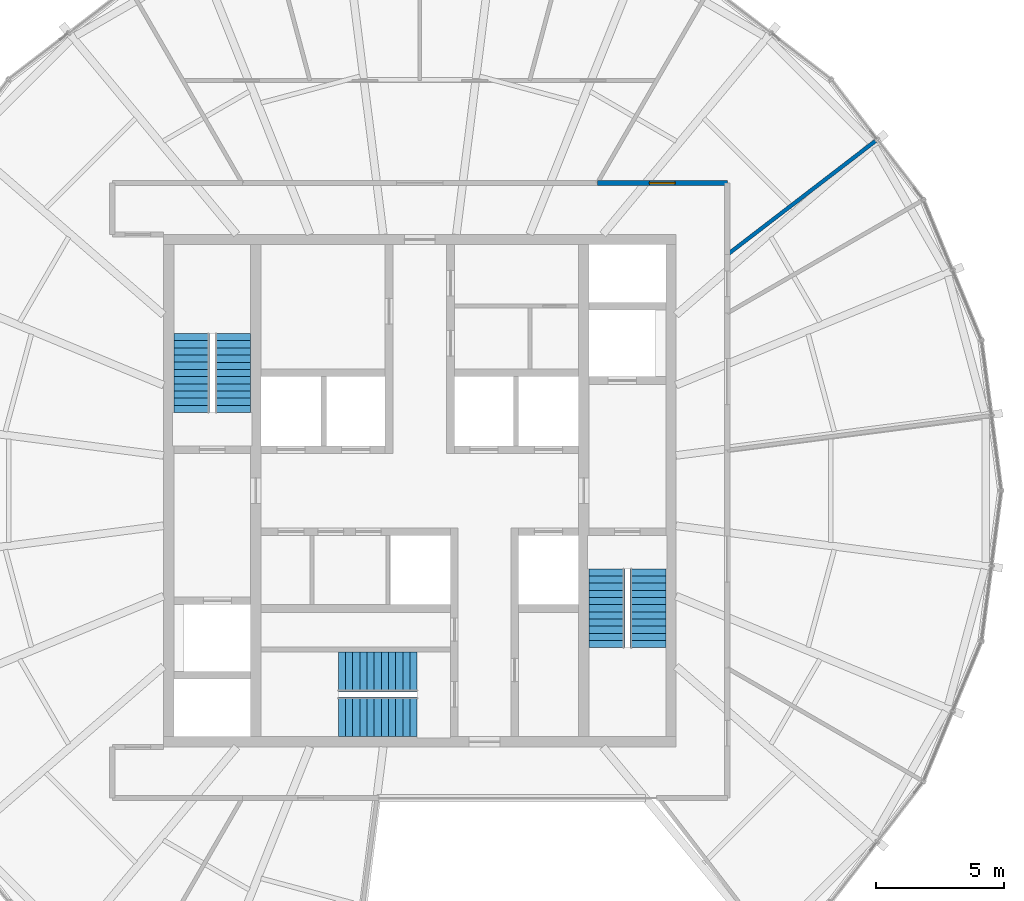
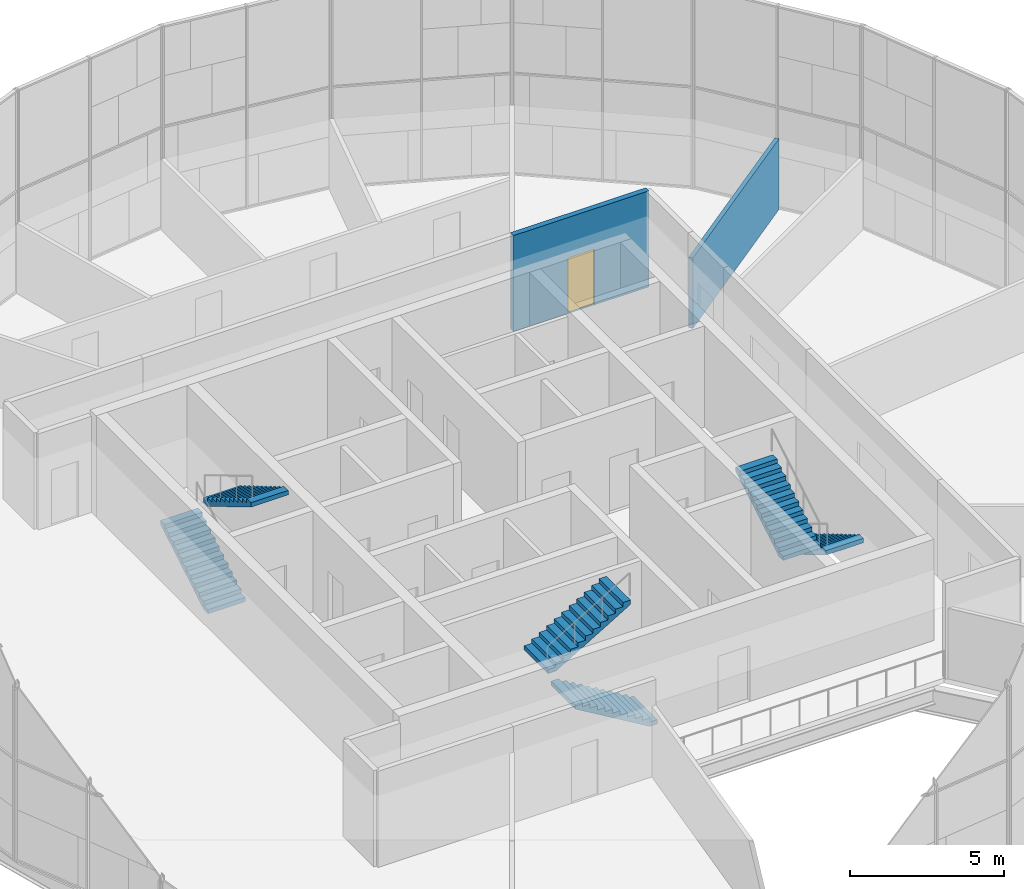
# One storey, part 18 of 19: 6 stair flights, 2 walls, 1 door, 1 opening, 3 elements without a shape of their own.
"""IFC4 building model written with IfcOpenShell, lengths in metres."""

from ifc_helpers import new_model, si_unit, direction, frame, frame_2d, origin, place, context, subcontext, project, spatial, polyline, rectangle, outline, extrude, material, layer, layer_set, type_object, element, fill, aggregate, save


model = new_model("IFC4")

# Units and contexts
model_context = context("Model", 3, precision=1e-05, world=origin(), true_north=direction((0.0, 1.0)))
body_context = subcontext(model_context, "Body", "Model", "MODEL_VIEW")
ifc_project = project(units=[si_unit("LENGTHUNIT", "METRE"), si_unit("AREAUNIT", "SQUARE_METRE"), si_unit("VOLUMEUNIT", "CUBIC_METRE"), si_unit("PLANEANGLEUNIT", "RADIAN"), si_unit("MASSUNIT", "GRAM", prefix="KILO")], contexts=[model_context])

# Site, building, storey
site_placement = place(None, origin())
site = spatial("IfcSite", under=ifc_project, at=site_placement, CompositionType="ELEMENT")
building_placement = place(site_placement, origin())
building = spatial("IfcBuilding", under=site, at=building_placement, Name="Golbaran Civic Tower", CompositionType="ELEMENT")
storey_placement = place(building_placement, frame((0.0, 0.0, 240.0)))
storey = spatial("IfcBuildingStorey", under=building, at=storey_placement, Name="L58", CompositionType="ELEMENT", Elevation=240.0)

# Wall, opening, door
ifc_material_1 = material(Name="Gypsum board on steel studs, fire-rated", Category="steel")
ifc_layer_1 = layer(ifc_material_1, 0.199951171875, Name="Gypsum board on steel studs, fire-rated")
ifc_layer_set_1 = layer_set([ifc_layer_1], Name="Gypsum board on steel studs, fire-rated")
wall_type_1 = type_object("IfcWallType", Name="CORRIDOR WALL 200", PredefinedType="PARTITIONING", material=ifc_layer_set_1)
wall_1_placement = place(storey_placement, frame((12.0, 12.0, 0.0), z_axis=(0.0, 0.0, 1.0), x_axis=(-1.0, 0.0, 0.0)))
wall_1 = element("IfcWall", 1, at=wall_1_placement, inside=storey, type_object=wall_type_1, Name="Corridor wall L58", PredefinedType="PARTITIONING", context=body_context, shape_type="SweptSolid", body=[
    extrude(rectangle(XDim=5.07177734375, YDim=0.199951171875, at=frame_2d((2.535888671875, 0.0))), origin(), (0.0, 0.0, 1.0), 3.800048828125),
])
opening_placement = place(wall_1_placement, frame((2.035888671875, 0.0, 0.0)))
opening = element("IfcOpeningElement", 2, at=opening_placement, cuts=wall_1, Name="Opening L58.08", PredefinedType="OPENING", context=body_context, shape_type="SweptSolid", body=[
    extrude(rectangle(XDim=1.0, YDim=2.199951171875, at=frame_2d((0.5, 1.10009765625))), frame((0.0, 0.10986328125, 0.0), z_axis=(0.0, -1.0, 0.0), x_axis=(1.0, 0.0, 0.0)), (0.0, 0.0, 1.0), 0.219970703125),
])
ifc_material_2 = material(Name="Timber door set in steel frame", Category="steel")
door_type = type_object("IfcDoorType", Name="OFFICE DOOR 1000x2200", OperationType="SINGLE_SWING_LEFT", PredefinedType="DOOR", material=ifc_material_2)
door_placement = place(opening_placement, origin())
door = element("IfcDoor", 3, at=door_placement, inside=storey, type_object=door_type, Name="Prayer Room door L58", OperationType="SINGLE_SWING_RIGHT", OverallHeight=2.199951171875, OverallWidth=1.0, PredefinedType="DOOR", context=body_context, shape_type="SweptSolid", body=[
    extrude(rectangle(XDim=1.0, YDim=2.199951171875, at=frame_2d((0.5, 1.10009765625))), frame((0.0, 0.02490234375, 0.0), z_axis=(0.0, -1.0, 0.0), x_axis=(1.0, 0.0, 0.0)), (0.0, 0.0, 1.0), 0.050048828125),
])
fill(opening, door)

# Wall
ifc_material_3 = material(Name="Gypsum board on steel studs", Category="steel")
ifc_layer_2 = layer(ifc_material_3, 0.14990234375, Name="Gypsum board on steel studs")
ifc_layer_set_2 = layer_set([ifc_layer_2], Name="Gypsum board on steel studs")
wall_type_2 = type_object("IfcWallType", Name="OFFICE PARTITION 150", PredefinedType="PARTITIONING", material=ifc_layer_set_2)
wall_2_placement = place(storey_placement, frame((12.0, 9.2080078125, 0.0), z_axis=(0.0, 0.0, 1.0), x_axis=(0.793369131671, 0.608740848729, 0.0)))
element("IfcWall", 4, at=wall_2_placement, inside=storey, type_object=wall_type_2, Name="Partition 37.5 L58", PredefinedType="PARTITIONING", context=body_context, shape_type="SweptSolid", body=[
    extrude(rectangle(XDim=7.2900390625, YDim=0.14990234375, at=frame_2d((3.64501953125, 0.0))), origin(), (0.0, 0.0, 1.0), 2.7900390625),
])

# Stair, stair flights
ifc_material_4 = material(Name="Concrete C35/45", Category="concrete")
stair_type_1 = type_object("IfcStairType", Name="EXIT STAIR 3000 x 7850, 4000 RISE", PredefinedType="HALF_TURN_STAIR", material=ifc_material_4)
stair_1_placement = place(storey_placement, origin())
stair_1 = element("IfcStair", 5, at=stair_1_placement, inside=storey, type_object=stair_type_1, Name="Stair S1 L58", PredefinedType="HALF_TURN_STAIR")
stair_flight_type_1 = type_object("IfcStairFlightType", Name="STAIR FLIGHT 1400 WIDE", PredefinedType="STRAIGHT", material=ifc_material_4)
stair_flight_1_placement = place(storey_placement, frame((-8.89990234375, 3.050048828125, 0.0), z_axis=(0.0, 0.0, 1.0), x_axis=(0.0, 1.0, 0.0)))
stair_flight_1 = element("IfcStairFlight", 6, at=stair_flight_1_placement, type_object=stair_flight_type_1, Name="ST30078-40 flight 1", NumberOfRisers=12, NumberOfTreads=11, PredefinedType="STRAIGHT", RiserHeight=0.166666667, TreadLength=0.28, context=body_context, shape_type="SweptSolid", body=[
    extrude(outline(polyline([(0.0, 0.0), (0.0, 0.166748046875), (0.280029296875, 0.166748046875), (0.280029296875, 0.333251953125), (0.56005859375, 0.333251953125), (0.56005859375, 0.5), (0.840087890625, 0.5), (0.840087890625, 0.666748046875), (1.1201171875, 0.666748046875), (1.1201171875, 0.833251953125), (1.39990234375, 0.833251953125), (1.39990234375, 1.0), (1.679931640625, 1.0), (1.679931640625, 1.166748046875), (1.9599609375, 1.166748046875), (1.9599609375, 1.333251953125), (2.239990234375, 1.333251953125), (2.239990234375, 1.5), (2.52001953125, 1.5), (2.52001953125, 1.666748046875), (2.800048828125, 1.666748046875), (2.800048828125, 1.833251953125), (3.080078125, 1.833251953125), (3.080078125, 2.0), (3.080078125, 1.658935546875), (0.29296875, 0.0), (0.0, 0.0)])), frame((0.0, 0.699951171875, 0.0), z_axis=(0.0, -1.0, 0.0), x_axis=(1.0, 0.0, 0.0)), (0.0, 0.0, 1.0), 1.39990234375),
])
stair_flight_2_placement = place(storey_placement, frame((-7.300048828125, 6.1298828125, 2.0), z_axis=(0.0, 0.0, 1.0), x_axis=(0.0, -1.0, 0.0)))
stair_flight_2 = element("IfcStairFlight", 7, at=stair_flight_2_placement, type_object=stair_flight_type_1, Name="ST30078-40 flight 2", NumberOfRisers=12, NumberOfTreads=11, PredefinedType="STRAIGHT", RiserHeight=0.166666667, TreadLength=0.28, context=body_context, shape_type="SweptSolid", body=[
    extrude(outline(polyline([(0.0, 0.0), (0.0, 0.166748046875), (0.280029296875, 0.166748046875), (0.280029296875, 0.333251953125), (0.56005859375, 0.333251953125), (0.56005859375, 0.5), (0.840087890625, 0.5), (0.840087890625, 0.666748046875), (1.1201171875, 0.666748046875), (1.1201171875, 0.833251953125), (1.39990234375, 0.833251953125), (1.39990234375, 1.0), (1.679931640625, 1.0), (1.679931640625, 1.166748046875), (1.9599609375, 1.166748046875), (1.9599609375, 1.333251953125), (2.239990234375, 1.333251953125), (2.239990234375, 1.5), (2.52001953125, 1.5), (2.52001953125, 1.666748046875), (2.800048828125, 1.666748046875), (2.800048828125, 1.833251953125), (3.080078125, 1.833251953125), (3.080078125, 2.0), (3.080078125, 1.658935546875), (0.29296875, 0.0), (0.0, 0.0)])), frame((0.0, 0.699951171875, 0.0), z_axis=(0.0, -1.0, 0.0), x_axis=(1.0, 0.0, 0.0)), (0.0, 0.0, 1.0), 1.39990234375),
])
aggregate(stair_1, [stair_flight_1, stair_flight_2])

stair_2_placement = place(storey_placement, origin())
stair_2 = element("IfcStair", 8, at=stair_2_placement, inside=storey, type_object=stair_type_1, Name="Stair S2 L58", PredefinedType="HALF_TURN_STAIR")
stair_flight_3_placement = place(storey_placement, frame((8.89990234375, -3.050048828125, 0.0), z_axis=(0.0, 0.0, 1.0), x_axis=(0.0, -1.0, 0.0)))
stair_flight_3 = element("IfcStairFlight", 9, at=stair_flight_3_placement, type_object=stair_flight_type_1, Name="ST30078-40 flight 1", NumberOfRisers=12, NumberOfTreads=11, PredefinedType="STRAIGHT", RiserHeight=0.166666667, TreadLength=0.28, context=body_context, shape_type="SweptSolid", body=[
    extrude(outline(polyline([(0.0, 0.0), (0.0, 0.166748046875), (0.280029296875, 0.166748046875), (0.280029296875, 0.333251953125), (0.56005859375, 0.333251953125), (0.56005859375, 0.5), (0.840087890625, 0.5), (0.840087890625, 0.666748046875), (1.1201171875, 0.666748046875), (1.1201171875, 0.833251953125), (1.39990234375, 0.833251953125), (1.39990234375, 1.0), (1.679931640625, 1.0), (1.679931640625, 1.166748046875), (1.9599609375, 1.166748046875), (1.9599609375, 1.333251953125), (2.239990234375, 1.333251953125), (2.239990234375, 1.5), (2.52001953125, 1.5), (2.52001953125, 1.666748046875), (2.800048828125, 1.666748046875), (2.800048828125, 1.833251953125), (3.080078125, 1.833251953125), (3.080078125, 2.0), (3.080078125, 1.658935546875), (0.29296875, 0.0), (0.0, 0.0)])), frame((0.0, 0.699951171875, 0.0), z_axis=(0.0, -1.0, 0.0), x_axis=(1.0, 0.0, 0.0)), (0.0, 0.0, 1.0), 1.39990234375),
])
stair_flight_4_placement = place(storey_placement, frame((7.300048828125, -6.1298828125, 2.0), z_axis=(0.0, 0.0, 1.0), x_axis=(0.0, 1.0, 0.0)))
stair_flight_4 = element("IfcStairFlight", 10, at=stair_flight_4_placement, type_object=stair_flight_type_1, Name="ST30078-40 flight 2", NumberOfRisers=12, NumberOfTreads=11, PredefinedType="STRAIGHT", RiserHeight=0.166666667, TreadLength=0.28, context=body_context, shape_type="SweptSolid", body=[
    extrude(outline(polyline([(0.0, 0.0), (0.0, 0.166748046875), (0.280029296875, 0.166748046875), (0.280029296875, 0.333251953125), (0.56005859375, 0.333251953125), (0.56005859375, 0.5), (0.840087890625, 0.5), (0.840087890625, 0.666748046875), (1.1201171875, 0.666748046875), (1.1201171875, 0.833251953125), (1.39990234375, 0.833251953125), (1.39990234375, 1.0), (1.679931640625, 1.0), (1.679931640625, 1.166748046875), (1.9599609375, 1.166748046875), (1.9599609375, 1.333251953125), (2.239990234375, 1.333251953125), (2.239990234375, 1.5), (2.52001953125, 1.5), (2.52001953125, 1.666748046875), (2.800048828125, 1.666748046875), (2.800048828125, 1.833251953125), (3.080078125, 1.833251953125), (3.080078125, 2.0), (3.080078125, 1.658935546875), (0.29296875, 0.0), (0.0, 0.0)])), frame((0.0, 0.699951171875, 0.0), z_axis=(0.0, -1.0, 0.0), x_axis=(1.0, 0.0, 0.0)), (0.0, 0.0, 1.0), 1.39990234375),
])
aggregate(stair_2, [stair_flight_3, stair_flight_4])

stair_type_2 = type_object("IfcStairType", Name="EXIT STAIR 3300 x 7400, 4000 RISE", PredefinedType="HALF_TURN_STAIR", material=ifc_material_4)
stair_3_placement = place(storey_placement, origin())
stair_3 = element("IfcStair", 11, at=stair_3_placement, inside=storey, type_object=stair_type_2, Name="Stair S3 L58", PredefinedType="HALF_TURN_STAIR")
stair_flight_type_2 = type_object("IfcStairFlightType", Name="STAIR FLIGHT 1550 WIDE", PredefinedType="STRAIGHT", material=ifc_material_4)
stair_flight_5_placement = place(storey_placement, frame((-0.10009765625, -8.824951171875, 0.0), z_axis=(0.0, 0.0, 1.0), x_axis=(-1.0, 0.0, 0.0)))
stair_flight_5 = element("IfcStairFlight", 12, at=stair_flight_5_placement, type_object=stair_flight_type_2, Name="ST33074-40 flight 1", NumberOfRisers=12, NumberOfTreads=11, PredefinedType="STRAIGHT", RiserHeight=0.166666667, TreadLength=0.28, context=body_context, shape_type="SweptSolid", body=[
    extrude(outline(polyline([(0.0, 0.0), (0.0, 0.166748046875), (0.280029296875, 0.166748046875), (0.280029296875, 0.333251953125), (0.56005859375, 0.333251953125), (0.56005859375, 0.5), (0.840087890625, 0.5), (0.840087890625, 0.666748046875), (1.1201171875, 0.666748046875), (1.1201171875, 0.833251953125), (1.39990234375, 0.833251953125), (1.39990234375, 1.0), (1.679931640625, 1.0), (1.679931640625, 1.166748046875), (1.9599609375, 1.166748046875), (1.9599609375, 1.333251953125), (2.239990234375, 1.333251953125), (2.239990234375, 1.5), (2.52001953125, 1.5), (2.52001953125, 1.666748046875), (2.800048828125, 1.666748046875), (2.800048828125, 1.833251953125), (3.080078125, 1.833251953125), (3.080078125, 2.0), (3.080078125, 1.658935546875), (0.29296875, 0.0), (0.0, 0.0)])), frame((0.0, 0.77490234375, 0.0), z_axis=(0.0, -1.0, 0.0), x_axis=(1.0, 0.0, 0.0)), (0.0, 0.0, 1.0), 1.550048828125),
])
stair_flight_6_placement = place(storey_placement, frame((-3.179931640625, -7.074951171875, 2.0), z_axis=(0.0, 0.0, 1.0), x_axis=(1.0, 0.0, 0.0)))
stair_flight_6 = element("IfcStairFlight", 13, at=stair_flight_6_placement, type_object=stair_flight_type_2, Name="ST33074-40 flight 2", NumberOfRisers=12, NumberOfTreads=11, PredefinedType="STRAIGHT", RiserHeight=0.166666667, TreadLength=0.28, context=body_context, shape_type="SweptSolid", body=[
    extrude(outline(polyline([(0.0, 0.0), (0.0, 0.166748046875), (0.280029296875, 0.166748046875), (0.280029296875, 0.333251953125), (0.56005859375, 0.333251953125), (0.56005859375, 0.5), (0.840087890625, 0.5), (0.840087890625, 0.666748046875), (1.1201171875, 0.666748046875), (1.1201171875, 0.833251953125), (1.39990234375, 0.833251953125), (1.39990234375, 1.0), (1.679931640625, 1.0), (1.679931640625, 1.166748046875), (1.9599609375, 1.166748046875), (1.9599609375, 1.333251953125), (2.239990234375, 1.333251953125), (2.239990234375, 1.5), (2.52001953125, 1.5), (2.52001953125, 1.666748046875), (2.800048828125, 1.666748046875), (2.800048828125, 1.833251953125), (3.080078125, 1.833251953125), (3.080078125, 2.0), (3.080078125, 1.658935546875), (0.29296875, 0.0), (0.0, 0.0)])), frame((0.0, 0.77490234375, 0.0), z_axis=(0.0, -1.0, 0.0), x_axis=(1.0, 0.0, 0.0)), (0.0, 0.0, 1.0), 1.550048828125),
])
aggregate(stair_3, [stair_flight_5, stair_flight_6])

save(model, "model.ifc")
